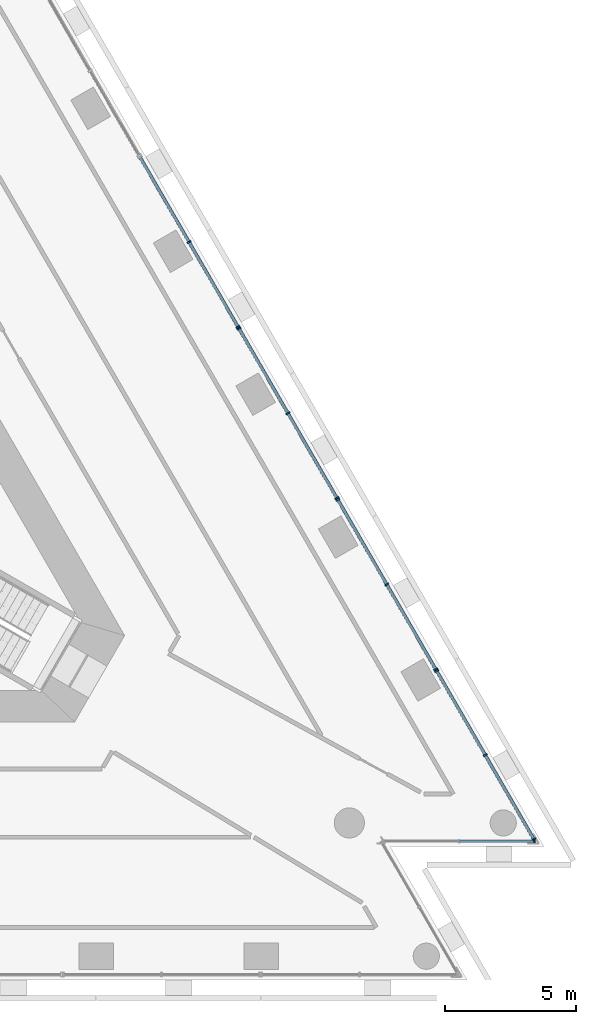
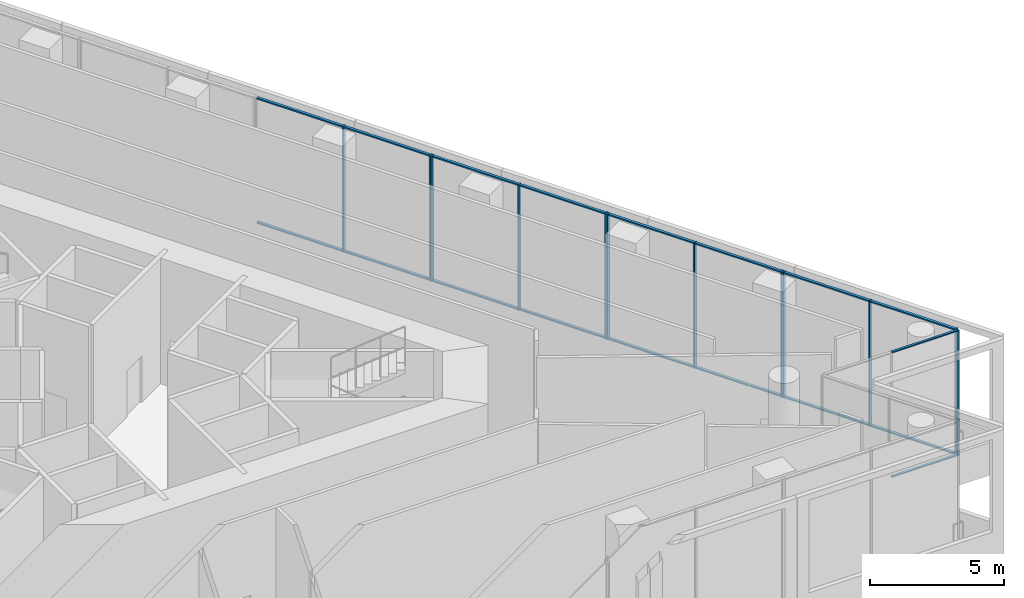
# One storey, part 6 of 18: 30 members, 5 elements without a shape of their own.
"""IFC4 building model written with IfcOpenShell, lengths in metres."""

from ifc_helpers import new_model, si_unit, direction, frame, origin, origin_2d, place, context, subcontext, project, spatial, rectangle, extrude, material, layer, layer_set, material_profile, profile_set, type_object, element, aggregate, save


model = new_model("IFC4")

# Units and contexts
model_context = context("Model", 3, precision=1e-05, world=origin(), true_north=direction((0.0, 1.0)))
body_context = subcontext(model_context, "Body", "Model", "MODEL_VIEW")
ifc_project = project(units=[si_unit("LENGTHUNIT", "METRE"), si_unit("AREAUNIT", "SQUARE_METRE"), si_unit("VOLUMEUNIT", "CUBIC_METRE"), si_unit("PLANEANGLEUNIT", "RADIAN"), si_unit("MASSUNIT", "GRAM", prefix="KILO")], contexts=[model_context])

# Site, building, storey
site_placement = place(None, origin())
site = spatial("IfcSite", under=ifc_project, at=site_placement, CompositionType="ELEMENT")
building_placement = place(site_placement, origin())
building = spatial("IfcBuilding", under=site, at=building_placement, Name="Triada Interchange Tower", CompositionType="ELEMENT")
storey_placement = place(building_placement, frame((0.0, 0.0, 185.300048828125)))
storey = spatial("IfcBuildingStorey", under=building, at=storey_placement, Name="L43", CompositionType="ELEMENT", Elevation=185.300048828125)

# Curtain wall, members
ifc_material_1 = material(Name="Aluminium framed glazing", Category="aluminium")
ifc_layer_1 = layer(ifc_material_1, 0.199951171875)
ifc_layer_set_1 = layer_set([ifc_layer_1], Name="Curtain wall Sky lobby glazing")
curtain_wall_type_1 = type_object("IfcCurtainWallType", Name="Curtain wall Sky lobby glazing", PredefinedType="NOTDEFINED", material=ifc_layer_set_1)
curtain_wall_1_placement = place(storey_placement, origin())
curtain_wall_1 = element("IfcCurtainWall", 1, at=curtain_wall_1_placement, inside=storey, type_object=curtain_wall_type_1, Name="Sky lobby glazing CW119 L43", PredefinedType="NOTDEFINED")
ifc_material_2 = material(Name="Aluminium", Category="aluminium")
ifc_material_profile_1 = material_profile(ifc_material_2, rectangle(XDim=0.159912109375, YDim=0.06005859375, at=origin_2d()), Name="Aluminium mullion")
ifc_profile_set_1 = profile_set([ifc_material_profile_1], Name="Aluminium")
member_type_1 = type_object("IfcMemberType", Name="Mullion Sky lobby glazing 160x60", PredefinedType="MULLION", material=ifc_profile_set_1)
member_1_placement = place(storey_placement, frame((29.305908203125, -13.47607421875, 0.0), z_axis=(0.0, 0.0, 1.0), x_axis=(-0.866005284359, -0.500034846248, 0.0)))
member_1 = element("IfcMember", 2, at=member_1_placement, type_object=member_type_1, Name="CW119 mullion 1", PredefinedType="MULLION", context=body_context, shape_type="SweptSolid", body=[
    extrude(rectangle(XDim=0.159912109375, YDim=0.06005859375, at=origin_2d()), origin(), (0.0, 0.0, 1.0), 5.699951171875),
])
member_2_placement = place(storey_placement, frame((27.450439453125, -10.262451171875, 0.0), z_axis=(0.0, 0.0, 1.0), x_axis=(-0.866005284359, -0.500034846248, 0.0)))
member_2 = element("IfcMember", 3, at=member_2_placement, type_object=member_type_1, Name="CW119 mullion 2", PredefinedType="MULLION", context=body_context, shape_type="SweptSolid", body=[
    extrude(rectangle(XDim=0.159912109375, YDim=0.06005859375, at=origin_2d()), origin(), (0.0, 0.0, 1.0), 5.699951171875),
])
member_3_placement = place(storey_placement, frame((25.594970703125, -7.049072265625, 0.0), z_axis=(0.0, 0.0, 1.0), x_axis=(-0.866005284359, -0.500034846248, 0.0)))
member_3 = element("IfcMember", 4, at=member_3_placement, type_object=member_type_1, Name="CW119 mullion 3", PredefinedType="MULLION", context=body_context, shape_type="SweptSolid", body=[
    extrude(rectangle(XDim=0.159912109375, YDim=0.06005859375, at=origin_2d()), origin(), (0.0, 0.0, 1.0), 5.699951171875),
])

curtain_wall_2_placement = place(storey_placement, origin())
curtain_wall_2 = element("IfcCurtainWall", 5, at=curtain_wall_2_placement, inside=storey, type_object=curtain_wall_type_1, Name="Sky lobby glazing CW120 L43", PredefinedType="NOTDEFINED")
member_4_placement = place(storey_placement, frame((25.56005859375, -6.988037109375, 0.0), z_axis=(0.0, 0.0, 1.0), x_axis=(-0.866046386007, -0.499963655963, 0.0)))
member_4 = element("IfcMember", 6, at=member_4_placement, type_object=member_type_1, Name="CW120 mullion 1", PredefinedType="MULLION", context=body_context, shape_type="SweptSolid", body=[
    extrude(rectangle(XDim=0.159912109375, YDim=0.06005859375, at=origin_2d()), origin(), (0.0, 0.0, 1.0), 5.699951171875),
])
member_5_placement = place(storey_placement, frame((23.69091796875, -3.75048828125, 0.0), z_axis=(0.0, 0.0, 1.0), x_axis=(-0.866046386007, -0.499963655963, 0.0)))
member_5 = element("IfcMember", 7, at=member_5_placement, type_object=member_type_1, Name="CW120 mullion 2", PredefinedType="MULLION", context=body_context, shape_type="SweptSolid", body=[
    extrude(rectangle(XDim=0.159912109375, YDim=0.06005859375, at=origin_2d()), origin(), (0.0, 0.0, 1.0), 5.699951171875),
])
member_6_placement = place(storey_placement, frame((21.822021484375, -0.512939453125, 0.0), z_axis=(0.0, 0.0, 1.0), x_axis=(-0.866046386007, -0.499963655963, 0.0)))
member_6 = element("IfcMember", 8, at=member_6_placement, type_object=member_type_1, Name="CW120 mullion 3", PredefinedType="MULLION", context=body_context, shape_type="SweptSolid", body=[
    extrude(rectangle(XDim=0.159912109375, YDim=0.06005859375, at=origin_2d()), origin(), (0.0, 0.0, 1.0), 5.699951171875),
])

curtain_wall_3_placement = place(storey_placement, origin())
curtain_wall_3 = element("IfcCurtainWall", 9, at=curtain_wall_3_placement, inside=storey, type_object=curtain_wall_type_1, Name="Sky lobby glazing CW121 L43", PredefinedType="NOTDEFINED")
member_7_placement = place(storey_placement, frame((21.787109375, -0.451904296875, 0.0), z_axis=(0.0, 0.0, 1.0), x_axis=(-0.865955748255, -0.500120627513, 0.0)))
member_7 = element("IfcMember", 10, at=member_7_placement, type_object=member_type_1, Name="CW121 mullion 1", PredefinedType="MULLION", context=body_context, shape_type="SweptSolid", body=[
    extrude(rectangle(XDim=0.159912109375, YDim=0.06005859375, at=origin_2d()), origin(), (0.0, 0.0, 1.0), 5.699951171875),
])
member_8_placement = place(storey_placement, frame((19.91748046875, 2.784912109375, 0.0), z_axis=(0.0, 0.0, 1.0), x_axis=(-0.865955748255, -0.500120627513, 0.0)))
member_8 = element("IfcMember", 11, at=member_8_placement, type_object=member_type_1, Name="CW121 mullion 2", PredefinedType="MULLION", context=body_context, shape_type="SweptSolid", body=[
    extrude(rectangle(XDim=0.159912109375, YDim=0.06005859375, at=origin_2d()), origin(), (0.0, 0.0, 1.0), 5.699951171875),
])
member_9_placement = place(storey_placement, frame((18.048095703125, 6.02197265625, 0.0), z_axis=(0.0, 0.0, 1.0), x_axis=(-0.865955748255, -0.500120627513, 0.0)))
member_9 = element("IfcMember", 12, at=member_9_placement, type_object=member_type_1, Name="CW121 mullion 3", PredefinedType="MULLION", context=body_context, shape_type="SweptSolid", body=[
    extrude(rectangle(XDim=0.159912109375, YDim=0.06005859375, at=origin_2d()), origin(), (0.0, 0.0, 1.0), 5.699951171875),
])

curtain_wall_4_placement = place(storey_placement, origin())
curtain_wall_4 = element("IfcCurtainWall", 13, at=curtain_wall_4_placement, inside=storey, type_object=curtain_wall_type_1, Name="Sky lobby glazing CW122 L43", PredefinedType="NOTDEFINED")
member_10_placement = place(storey_placement, frame((18.012939453125, 6.0830078125, 0.0), z_axis=(0.0, 0.0, 1.0), x_axis=(-0.866046386007, -0.499963655963, 0.0)))
member_10 = element("IfcMember", 14, at=member_10_placement, type_object=member_type_1, Name="CW122 mullion 1", PredefinedType="MULLION", context=body_context, shape_type="SweptSolid", body=[
    extrude(rectangle(XDim=0.159912109375, YDim=0.06005859375, at=origin_2d()), origin(), (0.0, 0.0, 1.0), 5.699951171875),
])
member_11_placement = place(storey_placement, frame((16.14404296875, 9.320556640625, 0.0), z_axis=(0.0, 0.0, 1.0), x_axis=(-0.866046386007, -0.499963655963, 0.0)))
member_11 = element("IfcMember", 15, at=member_11_placement, type_object=member_type_1, Name="CW122 mullion 2", PredefinedType="MULLION", context=body_context, shape_type="SweptSolid", body=[
    extrude(rectangle(XDim=0.159912109375, YDim=0.06005859375, at=origin_2d()), origin(), (0.0, 0.0, 1.0), 5.699951171875),
])

# Curtain wall, member
ifc_layer_2 = layer(ifc_material_1, 0.199951171875)
ifc_layer_set_2 = layer_set([ifc_layer_2], Name="Curtain wall Winter garden glazing")
curtain_wall_type_2 = type_object("IfcCurtainWallType", Name="Curtain wall Winter garden glazing", PredefinedType="NOTDEFINED", material=ifc_layer_set_2)
curtain_wall_5_placement = place(storey_placement, origin())
curtain_wall_5 = element("IfcCurtainWall", 16, at=curtain_wall_5_placement, inside=storey, type_object=curtain_wall_type_2, Name="Winter garden glazing CW118 L43", PredefinedType="NOTDEFINED")
ifc_material_profile_2 = material_profile(ifc_material_2, rectangle(XDim=0.1201171875, YDim=0.050048828125, at=origin_2d()), Name="Aluminium mullion")
ifc_profile_set_2 = profile_set([ifc_material_profile_2], Name="Aluminium")
member_type_2 = type_object("IfcMemberType", Name="Mullion Winter garden glazing 120x50", PredefinedType="MULLION", material=ifc_profile_set_2)
member_12_placement = place(storey_placement, frame((29.325927734375, -13.553955078125, 0.0), z_axis=(0.0, 0.0, 1.0), x_axis=(0.0, 1.0, 0.0)))
member_12 = element("IfcMember", 17, at=member_12_placement, type_object=member_type_2, Name="CW118 mullion 3", PredefinedType="MULLION", context=body_context, shape_type="SweptSolid", body=[
    extrude(rectangle(XDim=0.1201171875, YDim=0.050048828125, at=origin_2d()), origin(), (0.0, 0.0, 1.0), 5.699951171875),
])

# Member
ifc_material_profile_3 = material_profile(ifc_material_2, rectangle(XDim=0.1201171875, YDim=0.06005859375, at=origin_2d()), Name="Aluminium transom")
ifc_profile_set_3 = profile_set([ifc_material_profile_3], Name="Aluminium")
member_type_3 = type_object("IfcMemberType", Name="Transom Sky lobby glazing 120x60", PredefinedType="USERDEFINED", material=ifc_profile_set_3)
member_13_placement = place(storey_placement, frame((29.291015625, -13.449951171875, 0.030029296875), z_axis=(-0.500044708641, 0.8659995897, 0.0), x_axis=(-0.8659995897, -0.500044708641, 0.0)))
member_13 = element("IfcMember", 18, at=member_13_placement, type_object=member_type_3, Name="CW119 transom 1.1", ObjectType="TRANSOM", PredefinedType="USERDEFINED", context=body_context, shape_type="SweptSolid", body=[
    extrude(rectangle(XDim=0.1201171875, YDim=0.06005859375, at=origin_2d()), origin(), (0.0, 0.0, 1.0), 3.650634765625),
])

member_14_placement = place(storey_placement, frame((29.291015625, -13.449951171875, 5.669921875), z_axis=(-0.500044708641, 0.8659995897, 0.0), x_axis=(-0.8659995897, -0.500044708641, 0.0)))
member_14 = element("IfcMember", 19, at=member_14_placement, type_object=member_type_3, Name="CW119 transom 1.2", ObjectType="TRANSOM", PredefinedType="USERDEFINED", context=body_context, shape_type="SweptSolid", body=[
    extrude(rectangle(XDim=0.1201171875, YDim=0.06005859375, at=origin_2d()), origin(), (0.0, 0.0, 1.0), 3.650634765625),
])

member_15_placement = place(storey_placement, frame((27.435546875, -10.236572265625, 0.030029296875), z_axis=(-0.50001574941, 0.866016310667, 0.0), x_axis=(-0.866016310667, -0.50001574941, 0.0)))
member_15 = element("IfcMember", 20, at=member_15_placement, type_object=member_type_3, Name="CW119 transom 2.1", ObjectType="TRANSOM", PredefinedType="USERDEFINED", context=body_context, shape_type="SweptSolid", body=[
    extrude(rectangle(XDim=0.1201171875, YDim=0.06005859375, at=origin_2d()), origin(), (0.0, 0.0, 1.0), 3.65087890625),
])

member_16_placement = place(storey_placement, frame((27.435546875, -10.236572265625, 5.669921875), z_axis=(-0.50001574941, 0.866016310667, 0.0), x_axis=(-0.866016310667, -0.50001574941, 0.0)))
member_16 = element("IfcMember", 21, at=member_16_placement, type_object=member_type_3, Name="CW119 transom 2.2", ObjectType="TRANSOM", PredefinedType="USERDEFINED", context=body_context, shape_type="SweptSolid", body=[
    extrude(rectangle(XDim=0.1201171875, YDim=0.06005859375, at=origin_2d()), origin(), (0.0, 0.0, 1.0), 3.65087890625),
])

aggregate(curtain_wall_1, [member_1, member_2, member_3, member_13, member_14, member_15, member_16])

member_17_placement = place(storey_placement, frame((25.544921875, -6.962158203125, 0.030029296875), z_axis=(-0.499908222552, 0.866078385035, 0.0), x_axis=(-0.866078385035, -0.499908222552, 0.0)))
member_17 = element("IfcMember", 22, at=member_17_placement, type_object=member_type_3, Name="CW120 transom 1.1", ObjectType="TRANSOM", PredefinedType="USERDEFINED", context=body_context, shape_type="SweptSolid", body=[
    extrude(rectangle(XDim=0.1201171875, YDim=0.06005859375, at=origin_2d()), origin(), (0.0, 0.0, 1.0), 3.678466796875),
])

member_18_placement = place(storey_placement, frame((25.544921875, -6.962158203125, 5.669921875), z_axis=(-0.499908222552, 0.866078385035, 0.0), x_axis=(-0.866078385035, -0.499908222552, 0.0)))
member_18 = element("IfcMember", 23, at=member_18_placement, type_object=member_type_3, Name="CW120 transom 1.2", ObjectType="TRANSOM", PredefinedType="USERDEFINED", context=body_context, shape_type="SweptSolid", body=[
    extrude(rectangle(XDim=0.1201171875, YDim=0.06005859375, at=origin_2d()), origin(), (0.0, 0.0, 1.0), 3.678466796875),
])

member_19_placement = place(storey_placement, frame((23.676025390625, -3.724609375, 0.030029296875), z_axis=(-0.499986743006, 0.866033057578, 0.0), x_axis=(-0.866033057578, -0.499986743006, 0.0)))
member_19 = element("IfcMember", 24, at=member_19_placement, type_object=member_type_3, Name="CW120 transom 2.1", ObjectType="TRANSOM", PredefinedType="USERDEFINED", context=body_context, shape_type="SweptSolid", body=[
    extrude(rectangle(XDim=0.1201171875, YDim=0.06005859375, at=origin_2d()), origin(), (0.0, 0.0, 1.0), 3.67822265625),
])

member_20_placement = place(storey_placement, frame((23.676025390625, -3.724609375, 5.669921875), z_axis=(-0.499986743006, 0.866033057578, 0.0), x_axis=(-0.866033057578, -0.499986743006, 0.0)))
member_20 = element("IfcMember", 25, at=member_20_placement, type_object=member_type_3, Name="CW120 transom 2.2", ObjectType="TRANSOM", PredefinedType="USERDEFINED", context=body_context, shape_type="SweptSolid", body=[
    extrude(rectangle(XDim=0.1201171875, YDim=0.06005859375, at=origin_2d()), origin(), (0.0, 0.0, 1.0), 3.67822265625),
])

aggregate(curtain_wall_2, [member_4, member_5, member_6, member_17, member_18, member_19, member_20])

member_21_placement = place(storey_placement, frame((21.77197265625, -0.426025390625, 0.030029296875), z_axis=(-0.500094008031, 0.865971121419, 0.0), x_axis=(-0.865971121419, -0.500094008031, 0.0)))
member_21 = element("IfcMember", 26, at=member_21_placement, type_object=member_type_3, Name="CW121 transom 1.1", ObjectType="TRANSOM", PredefinedType="USERDEFINED", context=body_context, shape_type="SweptSolid", body=[
    extrude(rectangle(XDim=0.1201171875, YDim=0.06005859375, at=origin_2d()), origin(), (0.0, 0.0, 1.0), 3.677978515625),
])

member_22_placement = place(storey_placement, frame((21.77197265625, -0.426025390625, 5.669921875), z_axis=(-0.500094008031, 0.865971121419, 0.0), x_axis=(-0.865971121419, -0.500094008031, 0.0)))
member_22 = element("IfcMember", 27, at=member_22_placement, type_object=member_type_3, Name="CW121 transom 1.2", ObjectType="TRANSOM", PredefinedType="USERDEFINED", context=body_context, shape_type="SweptSolid", body=[
    extrude(rectangle(XDim=0.1201171875, YDim=0.06005859375, at=origin_2d()), origin(), (0.0, 0.0, 1.0), 3.677978515625),
])

member_23_placement = place(storey_placement, frame((19.902587890625, 2.81103515625, 0.030029296875), z_axis=(-0.500143783026, 0.865942374699, 0.0), x_axis=(-0.865942374699, -0.500143783026, 0.0)))
member_23 = element("IfcMember", 28, at=member_23_placement, type_object=member_type_3, Name="CW121 transom 2.1", ObjectType="TRANSOM", PredefinedType="USERDEFINED", context=body_context, shape_type="SweptSolid", body=[
    extrude(rectangle(XDim=0.1201171875, YDim=0.06005859375, at=origin_2d()), origin(), (0.0, 0.0, 1.0), 3.67822265625),
])

member_24_placement = place(storey_placement, frame((19.902587890625, 2.81103515625, 5.669921875), z_axis=(-0.500143783026, 0.865942374699, 0.0), x_axis=(-0.865942374699, -0.500143783026, 0.0)))
member_24 = element("IfcMember", 29, at=member_24_placement, type_object=member_type_3, Name="CW121 transom 2.2", ObjectType="TRANSOM", PredefinedType="USERDEFINED", context=body_context, shape_type="SweptSolid", body=[
    extrude(rectangle(XDim=0.1201171875, YDim=0.06005859375, at=origin_2d()), origin(), (0.0, 0.0, 1.0), 3.67822265625),
])

aggregate(curtain_wall_3, [member_7, member_8, member_9, member_21, member_22, member_23, member_24])

member_25_placement = place(storey_placement, frame((17.998046875, 6.10888671875, 0.030029296875), z_axis=(-0.499986743006, 0.866033057578, 0.0), x_axis=(-0.866033057578, -0.499986743006, 0.0)))
member_25 = element("IfcMember", 30, at=member_25_placement, type_object=member_type_3, Name="CW122 transom 1.1", ObjectType="TRANSOM", PredefinedType="USERDEFINED", context=body_context, shape_type="SweptSolid", body=[
    extrude(rectangle(XDim=0.1201171875, YDim=0.06005859375, at=origin_2d()), origin(), (0.0, 0.0, 1.0), 3.67822265625),
])

member_26_placement = place(storey_placement, frame((17.998046875, 6.10888671875, 5.669921875), z_axis=(-0.499986743006, 0.866033057578, 0.0), x_axis=(-0.866033057578, -0.499986743006, 0.0)))
member_26 = element("IfcMember", 31, at=member_26_placement, type_object=member_type_3, Name="CW122 transom 1.2", ObjectType="TRANSOM", PredefinedType="USERDEFINED", context=body_context, shape_type="SweptSolid", body=[
    extrude(rectangle(XDim=0.1201171875, YDim=0.06005859375, at=origin_2d()), origin(), (0.0, 0.0, 1.0), 3.67822265625),
])

member_27_placement = place(storey_placement, frame((16.12890625, 9.346435546875, 0.030029296875), z_axis=(-0.499936960004, 0.866061796884, 0.0), x_axis=(-0.866061796884, -0.499936960004, 0.0)))
member_27 = element("IfcMember", 32, at=member_27_placement, type_object=member_type_3, Name="CW122 transom 2.1", ObjectType="TRANSOM", PredefinedType="USERDEFINED", context=body_context, shape_type="SweptSolid", body=[
    extrude(rectangle(XDim=0.1201171875, YDim=0.06005859375, at=origin_2d()), origin(), (0.0, 0.0, 1.0), 3.67822265625),
])

member_28_placement = place(storey_placement, frame((16.12890625, 9.346435546875, 5.669921875), z_axis=(-0.499936960004, 0.866061796884, 0.0), x_axis=(-0.866061796884, -0.499936960004, 0.0)))
member_28 = element("IfcMember", 33, at=member_28_placement, type_object=member_type_3, Name="CW122 transom 2.2", ObjectType="TRANSOM", PredefinedType="USERDEFINED", context=body_context, shape_type="SweptSolid", body=[
    extrude(rectangle(XDim=0.1201171875, YDim=0.06005859375, at=origin_2d()), origin(), (0.0, 0.0, 1.0), 3.67822265625),
])

aggregate(curtain_wall_4, [member_10, member_11, member_25, member_26, member_27, member_28])

ifc_material_profile_4 = material_profile(ifc_material_2, rectangle(XDim=0.10009765625, YDim=0.050048828125, at=origin_2d()), Name="Aluminium transom")
ifc_profile_set_4 = profile_set([ifc_material_profile_4], Name="Aluminium")
member_type_4 = type_object("IfcMemberType", Name="Transom Winter garden glazing 100x50", PredefinedType="USERDEFINED", material=ifc_profile_set_4)
member_29_placement = place(storey_placement, frame((26.468994140625, -13.553955078125, 0.02490234375), z_axis=(1.0, 0.0, 0.0), x_axis=(0.0, 1.0, 0.0)))
member_29 = element("IfcMember", 34, at=member_29_placement, type_object=member_type_4, Name="CW118 transom 2.1", ObjectType="TRANSOM", PredefinedType="USERDEFINED", context=body_context, shape_type="SweptSolid", body=[
    extrude(rectangle(XDim=0.10009765625, YDim=0.050048828125, at=origin_2d()), origin(), (0.0, 0.0, 1.0), 2.83203125),
])

member_30_placement = place(storey_placement, frame((26.468994140625, -13.553955078125, 5.675048828125), z_axis=(1.0, 0.0, 0.0), x_axis=(0.0, 1.0, 0.0)))
member_30 = element("IfcMember", 35, at=member_30_placement, type_object=member_type_4, Name="CW118 transom 2.2", ObjectType="TRANSOM", PredefinedType="USERDEFINED", context=body_context, shape_type="SweptSolid", body=[
    extrude(rectangle(XDim=0.10009765625, YDim=0.050048828125, at=origin_2d()), origin(), (0.0, 0.0, 1.0), 2.83203125),
])

aggregate(curtain_wall_5, [member_12, member_29, member_30])

save(model, "model.ifc")
